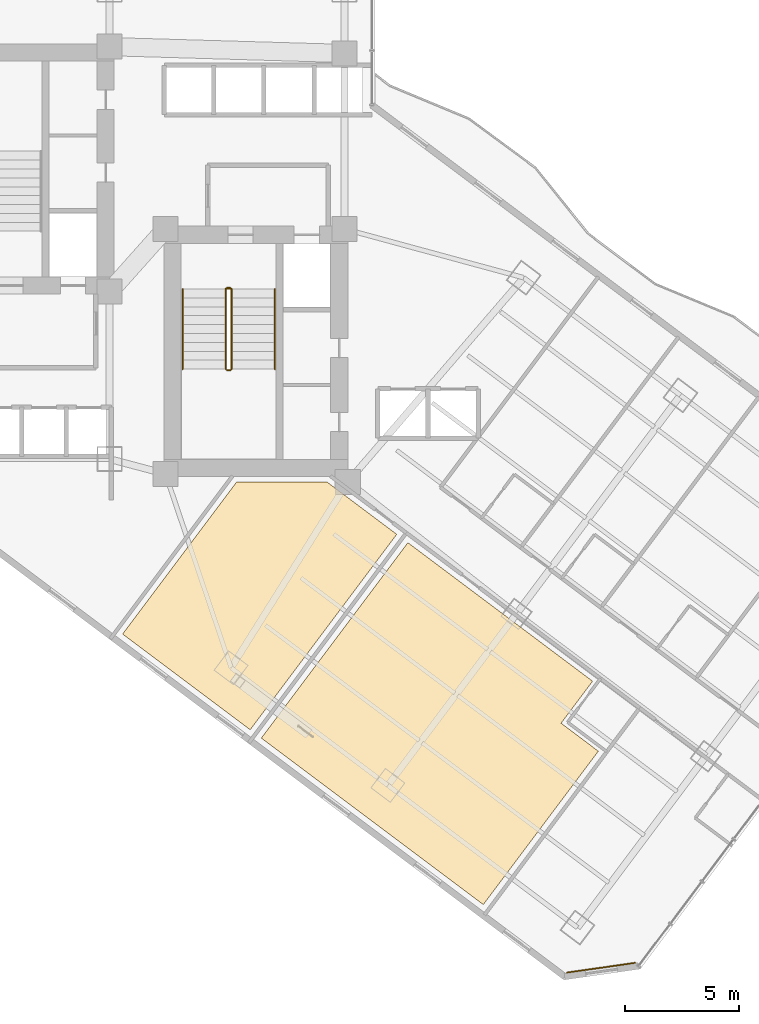
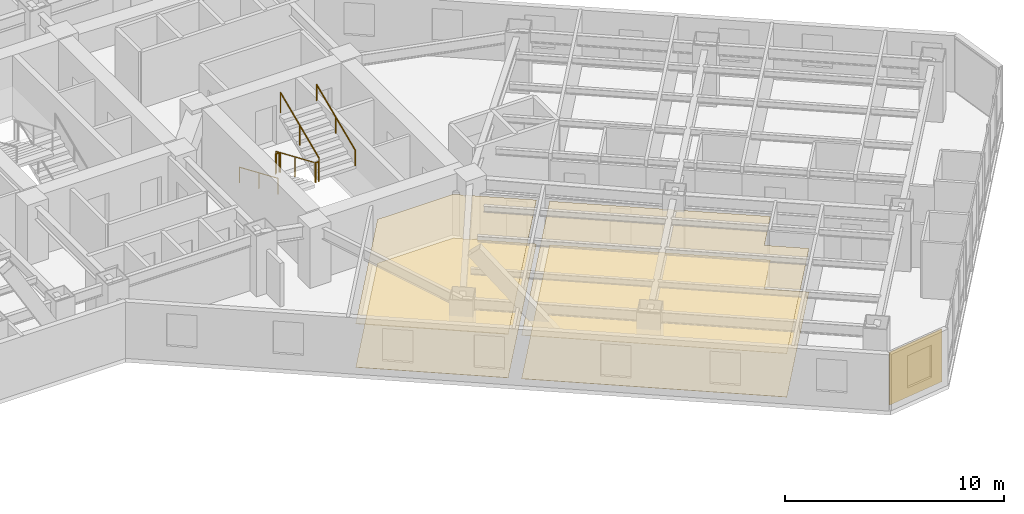
# One storey, part 29 of 32: 7 railings, 5 coverings.
"""IFC4 building model written with IfcOpenShell, lengths in metres."""

from ifc_helpers import new_model, si_unit, direction, frame, origin, origin_2d, place, context, subcontext, project, spatial, polyline, rectangle, circle, outline, extrude, material, layer, layer_set, type_object, element, save


model = new_model("IFC4")

# Units and contexts
model_context = context("Model", 3, precision=1e-05, world=origin(), true_north=direction((0.0, 1.0)))
body_context = subcontext(model_context, "Body", "Model", "MODEL_VIEW")
ifc_project = project(units=[si_unit("LENGTHUNIT", "METRE"), si_unit("AREAUNIT", "SQUARE_METRE"), si_unit("VOLUMEUNIT", "CUBIC_METRE"), si_unit("PLANEANGLEUNIT", "RADIAN"), si_unit("MASSUNIT", "GRAM", prefix="KILO")], contexts=[model_context])

# Site, building, storey
site_placement = place(None, origin())
site = spatial("IfcSite", under=ifc_project, at=site_placement, CompositionType="ELEMENT")
building_placement = place(site_placement, origin())
building = spatial("IfcBuilding", under=site, at=building_placement, Name="Hatsunagi Terrace Concourse", CompositionType="ELEMENT")
storey_placement = place(building_placement, frame((0.0, 0.0, 46.64990234375)))
storey = spatial("IfcBuildingStorey", under=building, at=storey_placement, Name="L11", CompositionType="ELEMENT", Elevation=46.64990234375)

# Coverings
ifc_material_1 = material(Name="Acoustic mineral board", Category="gypsum")
ifc_layer_1 = layer(ifc_material_1, 0.02001953125)
ifc_layer_set_1 = layer_set([ifc_layer_1], Name="AcousticMineralCeiling_20")
covering_type_1 = type_object("IfcCoveringType", Name="AcousticMineralCeiling_20", PredefinedType="CEILING", material=ifc_layer_set_1)
covering_1_placement = place(storey_placement, frame((0.0, 0.0, 2.420166015625)))
element("IfcCovering", 1, at=covering_1_placement, inside=storey, type_object=covering_type_1, Name="Suspended Ceiling L11-1", PredefinedType="CEILING", context=body_context, shape_type="SweptSolid", body=[
    extrude(outline(polyline([(49.75, 5.64990234375), (54.797119140625, 12.3798828125), (53.162109375, 13.610107421875), (54.5439453125, 15.455078125), (46.43798828125, 21.533935546875), (40.006103515625, 12.9580078125), (49.75, 5.64990234375)])), origin(), (0.0, 0.0, 1.0), 0.02001953125),
])
ifc_material_2 = material(Name="Hardwood timber", Category="wood")
ifc_layer_2 = layer(ifc_material_2, 0.014892578125)
ifc_layer_set_2 = layer_set([ifc_layer_2], Name="HardwoodTimberFlooring_15")
covering_type_2 = type_object("IfcCoveringType", Name="HardwoodTimberFlooring_15", PredefinedType="FLOORING", material=ifc_layer_set_2)
covering_2_placement = place(storey_placement, origin())
element("IfcCovering", 2, at=covering_2_placement, inside=storey, type_object=covering_type_2, Name="Finished Flooring L11-1", PredefinedType="FLOORING", context=body_context, shape_type="SweptSolid", body=[
    extrude(outline(polyline([(49.75, 5.64990234375), (54.797119140625, 12.3798828125), (53.162109375, 13.610107421875), (54.5439453125, 15.455078125), (46.43798828125, 21.533935546875), (40.006103515625, 12.9580078125), (49.75, 5.64990234375)])), origin(), (0.0, 0.0, 1.0), 0.01513671875),
])
covering_3_placement = place(storey_placement, origin())
element("IfcCovering", 3, at=covering_3_placement, inside=storey, type_object=covering_type_2, Name="Finished Flooring L11-2", PredefinedType="FLOORING", context=body_context, shape_type="SweptSolid", body=[
    extrude(outline(polyline([(39.51806640625, 13.323974609375), (45.949951171875, 21.89990234375), (42.89697265625, 24.18994140625), (38.9169921875, 24.18994140625), (33.91796875, 17.52392578125), (39.51806640625, 13.323974609375)])), origin(), (0.0, 0.0, 1.0), 0.01513671875),
])

# Railings
ifc_material_3 = material(Name="Stainless steel", Category="steel")
ifc_layer_3 = layer(ifc_material_3, 0.044921875)
ifc_layer_set_3 = layer_set([ifc_layer_3], Name="StairPitchHandrail_Tower2000")
railing_type_1 = type_object("IfcRailingType", Name="StairPitchHandrail_Tower2000", PredefinedType="HANDRAIL", material=ifc_layer_set_3)
railing_1_placement = place(storey_placement, frame((36.550048828125, 32.659912109375, 0.16748046875)))
element("IfcRailing", 4, at=railing_1_placement, inside=storey, type_object=railing_type_1, Name="L11 ST-B stair handrail 1", PredefinedType="HANDRAIL", context=body_context, shape_type="SweptSolid", body=[
    extrude(circle(Radius=0.02392578125, at=origin_2d()), frame((0.0, 0.0, 0.8759765625), z_axis=(0.0, -0.918834009242, 0.394644223904), x_axis=(1.0, 0.0, 0.0)), (0.0, 0.0, 1.0), 3.820068359375),
    extrude(circle(Radius=0.02099609375, at=origin_2d()), origin(), (0.0, 0.0, 1.0), 0.851806640625),
    extrude(circle(Radius=0.02099609375, at=origin_2d()), frame((0.0, -1.7548828125, 0.75390625)), (0.0, 0.0, 1.0), 0.851806640625),
    extrude(circle(Radius=0.02099609375, at=origin_2d()), frame((0.0, -3.510009765625, 1.507568359375)), (0.0, 0.0, 1.0), 0.851806640625),
])
railing_2_placement = place(storey_placement, frame((40.60009765625, 29.14990234375, 1.842529296875)))
element("IfcRailing", 5, at=railing_2_placement, inside=storey, type_object=railing_type_1, Name="L11 ST-B stair handrail 2", PredefinedType="HANDRAIL", context=body_context, shape_type="SweptSolid", body=[
    extrude(circle(Radius=0.02392578125, at=origin_2d()), frame((0.0, 0.0, 0.8759765625), z_axis=(0.0, 0.918834009242, 0.394644223904), x_axis=(-1.0, 0.0, 0.0)), (0.0, 0.0, 1.0), 3.820068359375),
    extrude(circle(Radius=0.02099609375, at=origin_2d()), origin(), (0.0, 0.0, 1.0), 0.851806640625),
    extrude(circle(Radius=0.02099609375, at=origin_2d()), frame((0.0, 1.7548828125, 0.75390625)), (0.0, 0.0, 1.0), 0.851806640625),
    extrude(circle(Radius=0.02099609375, at=origin_2d()), frame((0.0, 3.510009765625, 1.507568359375)), (0.0, 0.0, 1.0), 0.851806640625),
])
ifc_material_4 = material(Name="Stainless steel", Category="steel")
ifc_layer_4 = layer(ifc_material_4, 0.06005859375)
ifc_layer_set_4 = layer_set([ifc_layer_4], Name="StairWellGuard_Tower2000")
railing_type_2 = type_object("IfcRailingType", Name="StairWellGuard_Tower2000", PredefinedType="BALUSTRADE", material=ifc_layer_set_4)
railing_3_placement = place(storey_placement, frame((38.449951171875, 32.659912109375, 0.16748046875)))
element("IfcRailing", 6, at=railing_3_placement, inside=storey, type_object=railing_type_2, Name="L11 ST-B stair guard 1", PredefinedType="BALUSTRADE", context=body_context, shape_type="SweptSolid", body=[
    extrude(circle(Radius=0.02392578125, at=origin_2d()), frame((0.0, 0.0, 1.09619140625), z_axis=(0.0, -0.918834009242, 0.394644223904), x_axis=(1.0, 0.0, 0.0)), (0.0, 0.0, 1.0), 3.820068359375),
    extrude(circle(Radius=0.02099609375, at=origin_2d()), origin(), (0.0, 0.0, 1.0), 1.072021484375),
    extrude(circle(Radius=0.02099609375, at=origin_2d()), frame((0.0, -1.7548828125, 0.75390625)), (0.0, 0.0, 1.0), 1.072021484375),
    extrude(circle(Radius=0.02099609375, at=origin_2d()), frame((0.0, -3.510009765625, 1.507568359375)), (0.0, 0.0, 1.0), 1.072021484375),
])
railing_4_placement = place(storey_placement, frame((38.5, 29.10009765625, 1.675048828125)))
element("IfcRailing", 7, at=railing_4_placement, inside=storey, type_object=railing_type_2, Name="L11 ST-B stair guard 2", PredefinedType="BALUSTRADE", context=body_context, shape_type="SweptSolid", body=[
    extrude(circle(Radius=0.02392578125, at=origin_2d()), frame((0.0, 0.0, 1.09619140625), z_axis=(1.0, 0.0, 0.0), x_axis=(0.0, 1.0, 0.0)), (0.0, 0.0, 1.0), 0.14990234375),
    extrude(circle(Radius=0.02099609375, at=origin_2d()), origin(), (0.0, 0.0, 1.0), 1.072021484375),
    extrude(circle(Radius=0.02099609375, at=origin_2d()), frame((0.14990234375, 0.0, 0.0)), (0.0, 0.0, 1.0), 1.072021484375),
])
railing_5_placement = place(storey_placement, frame((38.699951171875, 29.14990234375, 1.842529296875)))
element("IfcRailing", 8, at=railing_5_placement, inside=storey, type_object=railing_type_2, Name="L11 ST-B stair guard 3", PredefinedType="BALUSTRADE", context=body_context, shape_type="SweptSolid", body=[
    extrude(circle(Radius=0.02392578125, at=origin_2d()), frame((0.0, 0.0, 1.09619140625), z_axis=(0.0, 0.918834009242, 0.394644223904), x_axis=(-1.0, 0.0, 0.0)), (0.0, 0.0, 1.0), 3.820068359375),
    extrude(circle(Radius=0.02099609375, at=origin_2d()), origin(), (0.0, 0.0, 1.0), 1.072021484375),
    extrude(circle(Radius=0.02099609375, at=origin_2d()), frame((0.0, 1.7548828125, 0.75390625)), (0.0, 0.0, 1.0), 1.072021484375),
    extrude(circle(Radius=0.02099609375, at=origin_2d()), frame((0.0, 3.510009765625, 1.507568359375)), (0.0, 0.0, 1.0), 1.072021484375),
])
railing_6_placement = place(storey_placement, frame((38.5, 32.7099609375, 0.0)))
element("IfcRailing", 9, at=railing_6_placement, inside=storey, type_object=railing_type_2, Name="L11 ST-B stair guard 4", PredefinedType="BALUSTRADE", context=body_context, shape_type="SweptSolid", body=[
    extrude(circle(Radius=0.02392578125, at=origin_2d()), frame((0.0, 0.0, 1.09619140625), z_axis=(1.0, 0.0, 0.0), x_axis=(0.0, 1.0, 0.0)), (0.0, 0.0, 1.0), 0.14990234375),
    extrude(circle(Radius=0.02099609375, at=origin_2d()), origin(), (0.0, 0.0, 1.0), 1.072021484375),
    extrude(circle(Radius=0.02099609375, at=origin_2d()), frame((0.14990234375, 0.0, 0.0)), (0.0, 0.0, 1.0), 1.072021484375),
])
ifc_material_5 = material(Name="Stainless Steel SUS316 Post-and-Rail Guard", Category="steel")
ifc_layer_5 = layer(ifc_material_5, 0.080078125)
ifc_layer_set_5 = layer_set([ifc_layer_5], Name="TerracePlantedGuardRail_1200")
railing_type_3 = type_object("IfcRailingType", Name="TerracePlantedGuardRail_1200", PredefinedType="GUARDRAIL", material=ifc_layer_set_5)
railing_7_placement = place(storey_placement, frame((38.449951171875, 32.679931640625, 0.0)))
element("IfcRailing", 10, at=railing_7_placement, inside=storey, type_object=railing_type_3, Name="Stair ST-B Well Closure Guard L11", PredefinedType="GUARDRAIL", context=body_context, shape_type="SweptSolid", body=[
    extrude(circle(Radius=0.02392578125, at=origin_2d()), frame((0.0, 0.0, 1.09619140625), z_axis=(1.0, 0.0, 0.0), x_axis=(0.0, 1.0, 0.0)), (0.0, 0.0, 1.0), 0.25),
    extrude(circle(Radius=0.02099609375, at=origin_2d()), origin(), (0.0, 0.0, 1.0), 1.072021484375),
    extrude(circle(Radius=0.02099609375, at=origin_2d()), frame((0.25, 0.0, 0.0)), (0.0, 0.0, 1.0), 1.072021484375),
])

# Coverings
ifc_material_6 = material(Name="Unglazed Warm Terracotta Rainscreen Tile", Category="masonry")
ifc_layer_6 = layer(ifc_material_6, 0.044921875)
ifc_layer_set_6 = layer_set([ifc_layer_6], Name="TerracottaRainscreenCladding_45")
covering_type_3 = type_object("IfcCoveringType", Name="TerracottaRainscreenCladding_45", PredefinedType="CLADDING", material=ifc_layer_set_6)
covering_4_placement = place(storey_placement, frame((54.91796875, 2.87890625, 0.10009765625), z_axis=(0.0, 0.0, 1.0), x_axis=(-0.989973920543, -0.141250262458, 0.0)))
element("IfcCovering", 11, at=covering_4_placement, inside=storey, type_object=covering_type_3, Name="Terracotta Rainscreen Cladding L11-04", PredefinedType="CLADDING", context=body_context, shape_type="SweptSolid", body=[
    extrude(rectangle(XDim=3.0380859375, YDim=0.044921875, at=origin_2d()), origin(), (0.0, 0.0, 1.0), 2.929931640625),
])
ifc_material_7 = material(Name="Hardwood timber", Category="wood")
ifc_layer_7 = layer(ifc_material_7, 0.034912109375)
ifc_layer_set_7 = layer_set([ifc_layer_7], Name="TimberBaffleCeiling_35")
covering_type_4 = type_object("IfcCoveringType", Name="TimberBaffleCeiling_35", PredefinedType="CEILING", material=ifc_layer_set_7)
covering_5_placement = place(storey_placement, frame((0.0, 0.0, 2.420166015625)))
element("IfcCovering", 12, at=covering_5_placement, inside=storey, type_object=covering_type_4, Name="Suspended Ceiling L11-2", PredefinedType="CEILING", context=body_context, shape_type="SweptSolid", body=[
    extrude(outline(polyline([(39.51806640625, 13.323974609375), (45.949951171875, 21.89990234375), (42.89697265625, 24.18994140625), (38.9169921875, 24.18994140625), (33.91796875, 17.52392578125), (39.51806640625, 13.323974609375)])), origin(), (0.0, 0.0, 1.0), 0.034912109375),
])

save(model, "model.ifc")
